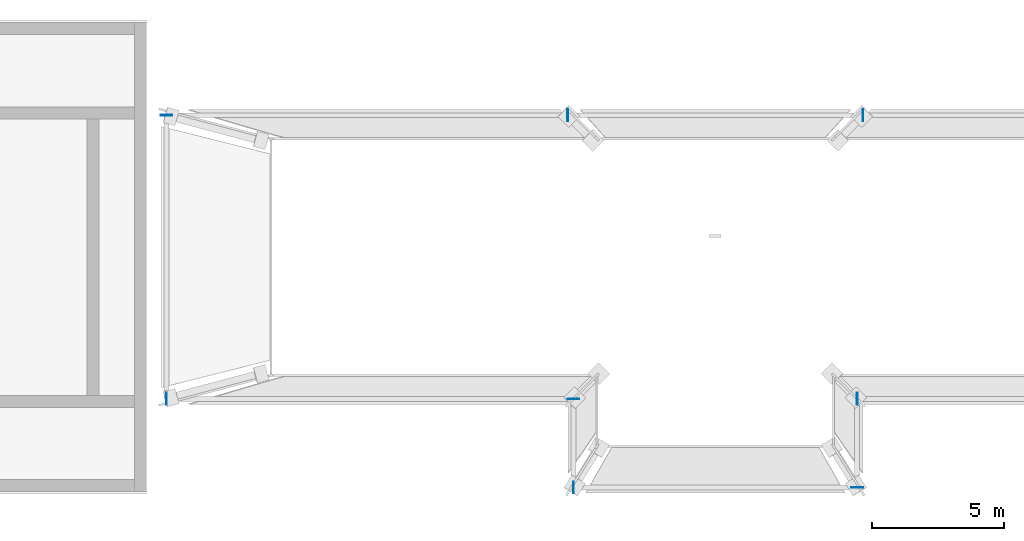
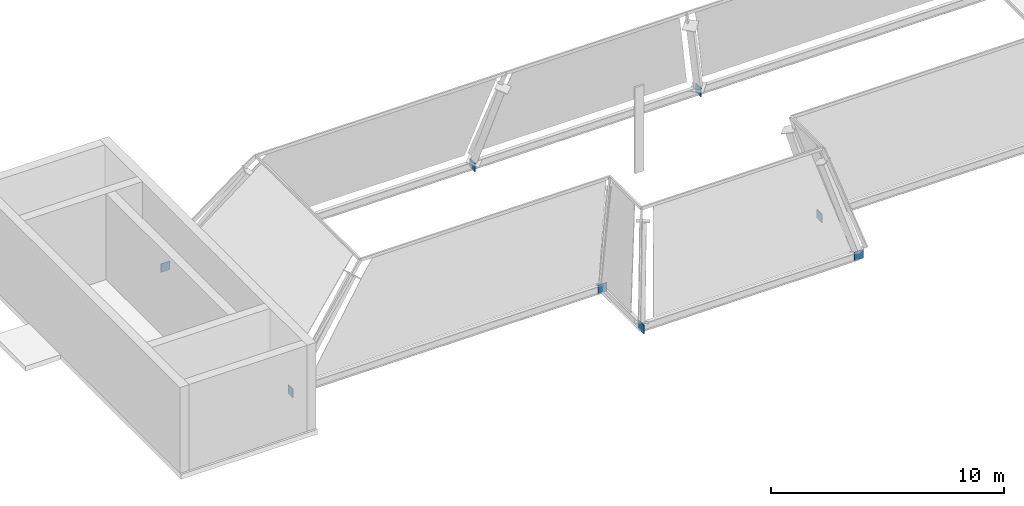
# One storey, part 3 of 5: 8 discrete accessories.
"""IFC4 building model written with IfcOpenShell, lengths in metres."""

from ifc_helpers import new_model, si_unit, direction, frame, origin, origin_2d, place, context, subcontext, project, spatial, rectangle, extrude, material, material_profile, profile_set, type_object, element, save


model = new_model("IFC4")

# Units and contexts
model_context = context("Model", 3, precision=1e-05, world=origin(), true_north=direction((0.0, 1.0)))
body_context = subcontext(model_context, "Body", "Model", "MODEL_VIEW")
ifc_project = project(units=[si_unit("LENGTHUNIT", "METRE"), si_unit("AREAUNIT", "SQUARE_METRE"), si_unit("VOLUMEUNIT", "CUBIC_METRE"), si_unit("PLANEANGLEUNIT", "RADIAN"), si_unit("MASSUNIT", "GRAM", prefix="KILO")], contexts=[model_context])

# Site, building, storey
site_placement = place(None, origin())
site = spatial("IfcSite", under=ifc_project, at=site_placement, CompositionType="ELEMENT")
building_placement = place(site_placement, origin())
building = spatial("IfcBuilding", under=site, at=building_placement, Name="Perihelion Cross Residences", CompositionType="ELEMENT")
storey_placement = place(building_placement, frame((0.0, 0.0, 303.300048828125)))
storey = spatial("IfcBuildingStorey", under=building, at=storey_placement, Name="L77", CompositionType="ELEMENT", Elevation=303.300048828125)

# Discrete accessories
ifc_material = material(Name="Structural steel S355 plate", Category="steel")
ifc_material_profile = material_profile(ifc_material, rectangle(XDim=0.449951171875, YDim=0.449951171875, at=origin_2d()), Name="Crown end plate")
ifc_profile_set = profile_set([ifc_material_profile], Name="Structural steel S355 plate")
discrete_accessory_type = type_object("IfcDiscreteAccessoryType", Name="Crown end plate", PredefinedType="BRACKET", material=ifc_profile_set)
for number, where, z_axis, x_axis, name in (
    (1, (5.6220703125, 5.3828125, -0.45849609375), (-1.0, 0.0, 0.0), (0.0, -1.0, 0.0), "Crown end plate"),
    (2, (-5.592041015625, 5.3828125, -0.45849609375), (-1.0, 0.0, 0.0), (0.0, -1.0, 0.0), "Crown end plate"),
    (3, (-20.833251953125, 5.39794921875, -0.45849609375), (0.0, -1.0, 0.0), (1.0, 0.0, 0.0), "Crown end plate"),
):
    element("IfcDiscreteAccessory", number, at=place(storey_placement, frame(where, z_axis=z_axis, x_axis=x_axis)), inside=storey, type_object=discrete_accessory_type, Name=name, PredefinedType="BRACKET", context=body_context, shape_type="SweptSolid", body=[
        extrude(rectangle(XDim=0.449951171875, YDim=0.449951171875, at=origin_2d()), origin(), (0.0, 0.0, 1.0), 0.030029296875),
    ])
discrete_accessory_placement = place(storey_placement, frame((-20.84814453125, -5.3828125, -0.45849609375), z_axis=(1.0, 0.0, 0.0), x_axis=(0.0, 1.0, 0.0)))
element("IfcDiscreteAccessory", 4, at=discrete_accessory_placement, inside=storey, type_object=discrete_accessory_type, Name="Crown end plate", PredefinedType="BRACKET", context=body_context, shape_type="SweptSolid", body=[
    extrude(rectangle(XDim=0.449951171875, YDim=0.449951171875, at=origin_2d()), origin(), (0.0, 0.0, 1.0), 0.02978515625),
])
for number, where, z_axis, x_axis, name in (
    (5, (-5.3828125, -5.367919921875, -0.45849609375), (0.0, -1.0, 0.0), (1.0, 0.0, 0.0), "Crown end plate"),
    (6, (-5.39794921875, -8.7470703125, -0.45849609375), (1.0, 0.0, 0.0), (0.0, 1.0, 0.0), "Crown end plate"),
    (7, (5.3828125, -8.761962890625, -0.45849609375), (0.0, 1.0, 0.0), (-1.0, 0.0, 0.0), "Crown end plate"),
    (8, (5.367919921875, -5.3828125, -0.45849609375), (1.0, 0.0, 0.0), (0.0, 1.0, 0.0), "Crown end plate"),
):
    element("IfcDiscreteAccessory", number, at=place(storey_placement, frame(where, z_axis=z_axis, x_axis=x_axis)), inside=storey, type_object=discrete_accessory_type, Name=name, PredefinedType="BRACKET", context=body_context, shape_type="SweptSolid", body=[
        extrude(rectangle(XDim=0.449951171875, YDim=0.449951171875, at=origin_2d()), origin(), (0.0, 0.0, 1.0), 0.030029296875),
    ])

save(model, "model.ifc")
